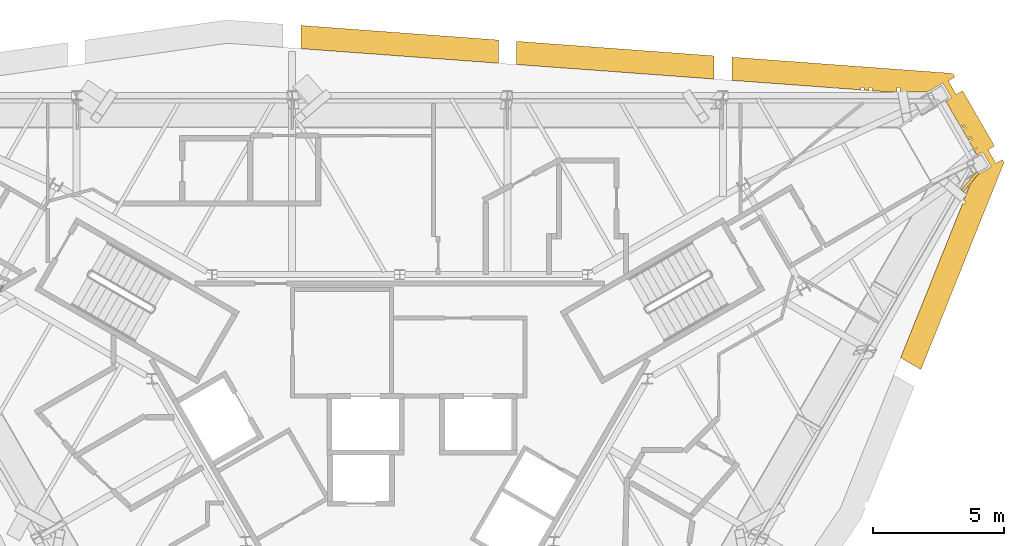
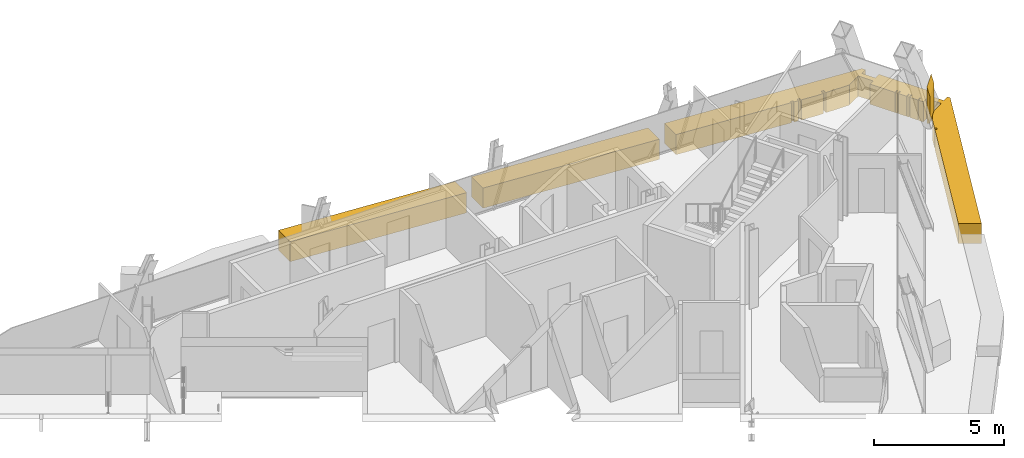
# One storey, part 13 of 13: 4 coverings.
"""IFC4 building model written with IfcOpenShell, lengths in metres."""

from ifc_helpers import new_model, si_unit, direction, frame, origin, place, context, subcontext, project, spatial, polyline, outline, extrude, material, layer, layer_set, type_object, element, save


model = new_model("IFC4")

# Units and contexts
model_context = context("Model", 3, precision=1e-05, world=origin(), true_north=direction((0.0, 1.0)))
body_context = subcontext(model_context, "Body", "Model", "MODEL_VIEW")
ifc_project = project(units=[si_unit("LENGTHUNIT", "METRE"), si_unit("AREAUNIT", "SQUARE_METRE"), si_unit("VOLUMEUNIT", "CUBIC_METRE"), si_unit("PLANEANGLEUNIT", "RADIAN"), si_unit("MASSUNIT", "GRAM", prefix="KILO")], contexts=[model_context])

# Site, building, storey
site_placement = place(None, origin())
site = spatial("IfcSite", under=ifc_project, at=site_placement, CompositionType="ELEMENT")
building_placement = place(site_placement, origin())
building = spatial("IfcBuilding", under=site, at=building_placement, Name="Verrane Prism Tower", CompositionType="ELEMENT")
storey_placement = place(building_placement, frame((0.0, 0.0, 304.699951171875)))
storey = spatial("IfcBuildingStorey", under=building, at=storey_placement, Name="L77", CompositionType="ELEMENT", Elevation=304.699951171875)

# Coverings
ifc_material_1 = material(Name="Warm limestone cladding", Category="masonry")
ifc_layer_1 = layer(ifc_material_1, 0.89990234375)
ifc_layer_set_1 = layer_set([ifc_layer_1], Name="Stone brace fin 900")
covering_type_1 = type_object("IfcCoveringType", Name="Stone brace fin 900", PredefinedType="CLADDING", material=ifc_layer_set_1)
covering_1_placement = place(storey_placement, frame((21.8466796875, 10.318359375, 0.0), z_axis=(0.0, 0.0, 1.0), x_axis=(-0.761992575744, 0.647585758422, 0.0)))
element("IfcCovering", 1, at=covering_1_placement, inside=storey, type_object=covering_type_1, Name="Stone brace fin SE5 L77", PredefinedType="CLADDING", context=body_context, shape_type="SweptSolid", body=[
    extrude(outline(polyline([(0.0, 0.0), (0.113037109375, 0.0), (0.113037109375, 1.707763671875), (0.0, 1.283447265625), (0.0, 0.0)])), frame((0.0, 0.449951171875, 0.0), z_axis=(0.0, -1.0, 0.0), x_axis=(1.0, 0.0, 0.0)), (0.0, 0.0, 1.0), 0.89990234375),
])
ifc_material_2 = material(Name="Warm limestone cladding", Category="masonry")
ifc_layer_2 = layer(ifc_material_2, 0.449951171875)
ifc_layer_set_2 = layer_set([ifc_layer_2], Name="Stone spandrel band 450")
covering_type_2 = type_object("IfcCoveringType", Name="Stone spandrel band 450", PredefinedType="CLADDING", material=ifc_layer_set_2)
covering_2_placement = place(storey_placement, frame((0.0, 0.0, -0.949951171875)))
element("IfcCovering", 2, at=covering_2_placement, inside=storey, type_object=covering_type_2, Name="Stone spandrel band L77 part 2", PredefinedType="CLADDING", context=body_context, shape_type="SweptSolid", body=[
    extrude(outline(polyline([(12.712646484375, 14.230224609375), (16.573486328125, 13.9462890625), (16.573486328125, 13.949951171875), (16.69091796875, 13.949951171875), (16.69091796875, 13.937744140625), (17.637451171875, 13.8681640625), (17.637451171875, 13.949951171875), (17.759765625, 13.949951171875), (17.759765625, 13.859130859375), (17.94677734375, 13.845458984375), (17.94677734375, 13.949951171875), (18.064453125, 13.949951171875), (18.064453125, 13.8369140625), (18.791015625, 13.783447265625), (19.010986328125, 13.783447265625), (19.010986328125, 13.949951171875), (19.13330078125, 13.949951171875), (19.13330078125, 13.783447265625), (20.1708984375, 13.783447265625), (20.76416015625, 14.125732421875), (21.093994140625, 13.55419921875), (20.8837890625, 13.432861328125), (21.443115234375, 12.464111328125), (21.584716796875, 12.5458984375), (21.599365234375, 12.520263671875), (21.4580078125, 12.4384765625), (21.49853515625, 12.3681640625), (21.639892578125, 12.449951171875), (21.66357421875, 12.409423828125), (21.52197265625, 12.32763671875), (21.6962890625, 12.025390625), (21.838134765625, 12.107421875), (21.852783203125, 12.081787109375), (21.711181640625, 12.0), (21.751708984375, 11.9296875), (21.893310546875, 12.01171875), (21.916748046875, 11.97119140625), (21.775146484375, 11.88916015625), (21.949462890625, 11.587158203125), (22.09130859375, 11.669189453125), (22.106201171875, 11.6435546875), (21.96435546875, 11.5615234375), (22.07275390625, 11.373779296875), (22.2841796875, 11.495849609375), (22.614013671875, 10.92431640625), (22.027099609375, 10.585205078125), (21.77197265625, 10.143310546875), (21.57080078125, 9.642578125), (21.646484375, 9.59912109375), (21.585205078125, 9.4931640625), (21.52490234375, 9.528076171875), (19.1533203125, 3.621337890625), (19.92724609375, 3.17431640625), (23.10498046875, 11.088623046875), (23.039794921875, 11.20166015625), (22.793212890625, 11.05908203125), (22.4931640625, 11.578857421875), (22.73974609375, 11.72119140625), (21.520751953125, 13.83251953125), (21.274169921875, 13.690185546875), (20.97412109375, 14.209716796875), (21.220703125, 14.352294921875), (21.136474609375, 14.498046875), (12.712646484375, 15.117431640625), (12.712646484375, 14.230224609375)])), origin(), (0.0, 0.0, 1.0), 0.949951171875),
])
covering_3_placement = place(storey_placement, frame((0.0, 0.0, -0.949951171875)))
element("IfcCovering", 3, at=covering_3_placement, inside=storey, type_object=covering_type_2, Name="Stone spandrel band L77 part 10", PredefinedType="CLADDING", context=body_context, shape_type="SweptSolid", body=[
    extrude(outline(polyline([(4.470947265625, 14.83642578125), (12.0126953125, 14.28173828125), (12.0126953125, 15.1689453125), (4.470947265625, 15.7236328125), (4.470947265625, 14.83642578125)])), origin(), (0.0, 0.0, 1.0), 0.949951171875),
])
covering_4_placement = place(storey_placement, frame((0.0, 0.0, -0.949951171875)))
element("IfcCovering", 4, at=covering_4_placement, inside=storey, type_object=covering_type_2, Name="Stone spandrel band L77 part 11", PredefinedType="CLADDING", context=body_context, shape_type="SweptSolid", body=[
    extrude(outline(polyline([(-3.77099609375, 15.4423828125), (3.77099609375, 14.887939453125), (3.77099609375, 15.77490234375), (-3.77099609375, 16.32958984375), (-3.77099609375, 15.4423828125)])), origin(), (0.0, 0.0, 1.0), 0.949951171875),
])

save(model, "model.ifc")
